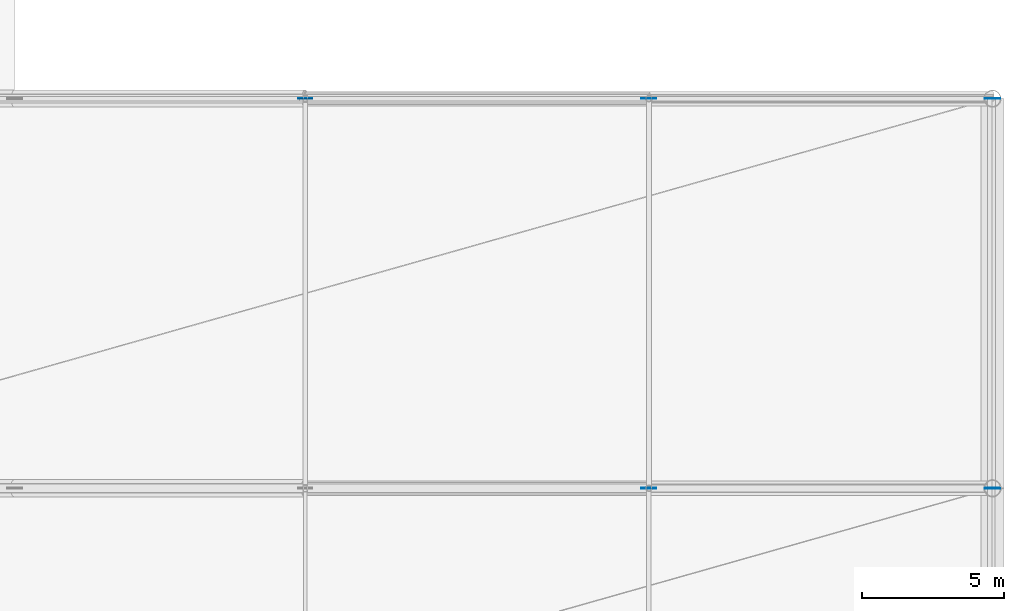
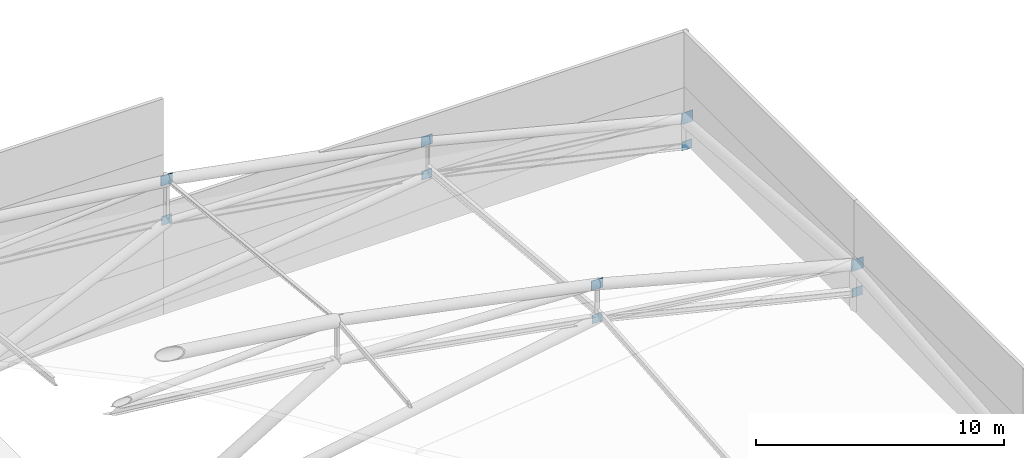
# One storey, part 36 of 36: 10 plates.
"""IFC4 building model written with IfcOpenShell, lengths in metres."""

from ifc_helpers import new_model, si_unit, direction, frame, origin, origin_2d, place, context, subcontext, project, spatial, rectangle, extrude, material, layer, layer_set, type_object, element, save


model = new_model("IFC4")

# Units and contexts
model_context = context("Model", 3, precision=1e-05, world=origin(), true_north=direction((0.0, 1.0)))
body_context = subcontext(model_context, "Body", "Model", "MODEL_VIEW")
ifc_project = project(units=[si_unit("LENGTHUNIT", "METRE"), si_unit("AREAUNIT", "SQUARE_METRE"), si_unit("VOLUMEUNIT", "CUBIC_METRE"), si_unit("PLANEANGLEUNIT", "RADIAN"), si_unit("MASSUNIT", "GRAM", prefix="KILO")], contexts=[model_context])

# Site, building, storey
site_placement = place(None, origin())
site = spatial("IfcSite", under=ifc_project, at=site_placement, CompositionType="ELEMENT")
building_placement = place(site_placement, origin())
building = spatial("IfcBuilding", under=site, at=building_placement, Name="Linyun Crest Stadium", CompositionType="ELEMENT")
storey_placement = place(building_placement, frame((0.0, 0.0, 31.60009765625)))
storey = spatial("IfcBuildingStorey", under=building, at=storey_placement, Name="RF", CompositionType="ELEMENT", Elevation=31.60009765625)

# Plates
ifc_material_1 = material(Name="Steel Q355C", Category="steel")
ifc_layer_1 = layer(ifc_material_1, 0.02001953125)
ifc_layer_set_1 = layer_set([ifc_layer_1], Name="Steel Q355C")
plate_type_1 = type_object("IfcPlateType", Name="EP01", PredefinedType="USERDEFINED", material=ifc_layer_set_1)
for number, where, z_axis, x_axis, name in (
    (1, (-35.5, 29.625, 1.872802734375), (0.0, 0.0, 1.0), (1.0, 0.0, 0.0), "Canopy tip tube end plate EP01 84"),
    (2, (-35.5, 43.375, 0.767822265625), (0.0, 0.0, 1.0), (1.0, 0.0, 0.0), "Canopy tip tube end plate EP01 97"),
):
    element("IfcPlate", number, at=place(storey_placement, frame(where, z_axis=z_axis, x_axis=x_axis)), inside=storey, type_object=plate_type_1, Name=name, ObjectType="END PLATE", PredefinedType="USERDEFINED", context=body_context, shape_type="SweptSolid", body=[
        extrude(rectangle(XDim=0.56005859375, YDim=0.02001953125, at=origin_2d()), origin(), (0.0, 0.0, 1.0), 0.56005859375),
    ])
ifc_material_2 = material(Name="Steel Q355C", Category="steel")
ifc_layer_2 = layer(ifc_material_2, 0.02392578125)
ifc_layer_set_2 = layer_set([ifc_layer_2], Name="Steel Q355C")
plate_type_2 = type_object("IfcPlateType", Name="NP01", PredefinedType="USERDEFINED", material=ifc_layer_set_2)
plate_1_placement = place(storey_placement, frame((-47.625, 29.625, 5.1748046875), z_axis=(0.0, 0.0, 1.0), x_axis=(1.0, 0.0, 0.0)))
element("IfcPlate", 3, at=plate_1_placement, inside=storey, type_object=plate_type_2, Name="Roof truss node gusset plate NP01 83", ObjectType="GUSSET PLATE", PredefinedType="USERDEFINED", context=body_context, shape_type="SweptSolid", body=[
    extrude(rectangle(XDim=0.5400390625, YDim=0.02392578125, at=origin_2d()), origin(), (0.0, 0.0, 1.0), 0.47998046875),
])
for number, where, z_axis, x_axis, name in (
    (4, (-47.625, 29.625, 3.531005859375), (0.0, 0.0, 1.0), (1.0, 0.0, 0.0), "Roof bottom-chord node gusset plate NP01 89"),
    (5, (-35.5, 29.625, 0.580810546875), (0.0, 0.0, 1.0), (1.0, 0.0, 0.0), "Roof bottom-chord node gusset plate NP01 90"),
):
    element("IfcPlate", number, at=place(storey_placement, frame(where, z_axis=z_axis, x_axis=x_axis)), inside=storey, type_object=plate_type_2, Name=name, ObjectType="GUSSET PLATE", PredefinedType="USERDEFINED", context=body_context, shape_type="SweptSolid", body=[
        extrude(rectangle(XDim=0.47998046875, YDim=0.02392578125, at=origin_2d()), origin(), (0.0, 0.0, 1.0), 0.43994140625),
    ])
plate_2_placement = place(storey_placement, frame((-47.625, 43.375, 3.9208984375), z_axis=(0.0, 0.0, 1.0), x_axis=(1.0, 0.0, 0.0)))
element("IfcPlate", 6, at=plate_2_placement, inside=storey, type_object=plate_type_2, Name="Roof truss node gusset plate NP01 96", ObjectType="GUSSET PLATE", PredefinedType="USERDEFINED", context=body_context, shape_type="SweptSolid", body=[
    extrude(rectangle(XDim=0.5400390625, YDim=0.02392578125, at=origin_2d()), origin(), (0.0, 0.0, 1.0), 0.47998046875),
])
for number, where, z_axis, x_axis, name in (
    (7, (-59.75, 43.375, 4.27783203125), (0.0, 0.0, 1.0), (1.0, 0.0, 0.0), "Roof bottom-chord node gusset plate NP01 101"),
    (8, (-47.625, 43.375, 2.27685546875), (0.0, 0.0, 1.0), (1.0, 0.0, 0.0), "Roof bottom-chord node gusset plate NP01 102"),
    (9, (-35.5, 43.375, -0.524169921875), (0.0, 0.0, 1.0), (1.0, 0.0, 0.0), "Roof bottom-chord node gusset plate NP01 103"),
):
    element("IfcPlate", number, at=place(storey_placement, frame(where, z_axis=z_axis, x_axis=x_axis)), inside=storey, type_object=plate_type_2, Name=name, ObjectType="GUSSET PLATE", PredefinedType="USERDEFINED", context=body_context, shape_type="SweptSolid", body=[
        extrude(rectangle(XDim=0.47998046875, YDim=0.02392578125, at=origin_2d()), origin(), (0.0, 0.0, 1.0), 0.43994140625),
    ])
ifc_material_3 = material(Name="Steel Q420C", Category="steel")
ifc_layer_3 = layer(ifc_material_3, 0.035888671875)
ifc_layer_set_3 = layer_set([ifc_layer_3], Name="Steel Q420C")
plate_type_3 = type_object("IfcPlateType", Name="NP04", PredefinedType="USERDEFINED", material=ifc_layer_set_3)
plate_3_placement = place(storey_placement, frame((-59.75, 43.375, 6.23388671875), z_axis=(0.0, 0.0, 1.0), x_axis=(1.0, 0.0, 0.0)))
element("IfcPlate", 10, at=plate_3_placement, inside=storey, type_object=plate_type_3, Name="Roof truss node gusset plate NP04 95", ObjectType="GUSSET PLATE", PredefinedType="USERDEFINED", context=body_context, shape_type="SweptSolid", body=[
    extrude(rectangle(XDim=0.5400390625, YDim=0.035888671875, at=origin_2d()), origin(), (0.0, 0.0, 1.0), 0.47998046875),
])

save(model, "model.ifc")
